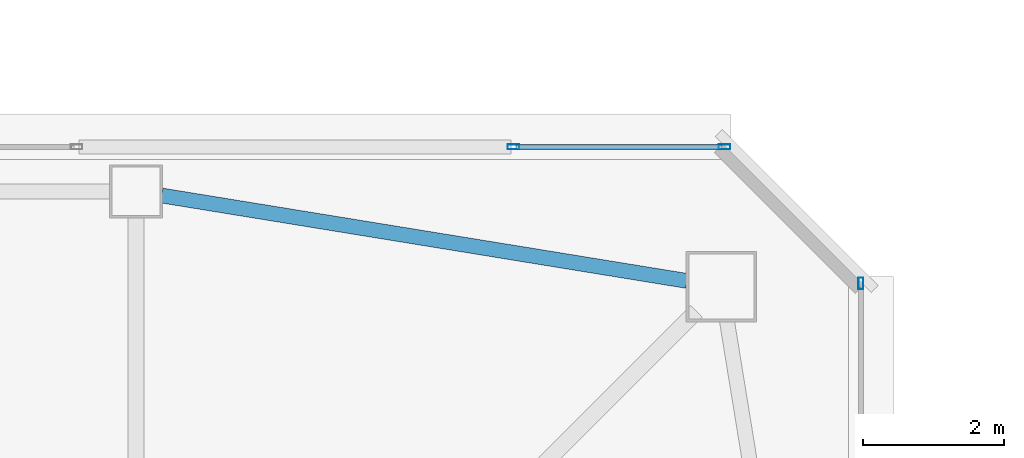
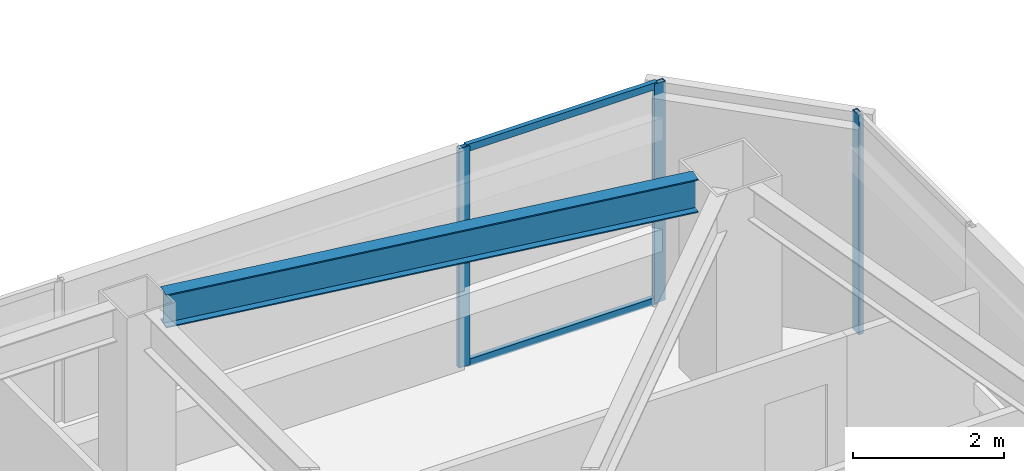
# One storey, part 14 of 36: 5 members, 1 beam, 2 elements without a shape of their own.
"""IFC4 building model written with IfcOpenShell, lengths in metres."""

from ifc_helpers import new_model, si_unit, direction, frame, origin, origin_2d, place, context, subcontext, project, spatial, hollow_rectangle, i_section, extrude, material, material_profile, profile_set, type_object, element, aggregate, save


model = new_model("IFC4")

# Units and contexts
model_context = context("Model", 3, precision=1e-05, world=origin(), true_north=direction((0.0, 1.0)))
body_context = subcontext(model_context, "Body", "Model", "MODEL_VIEW")
ifc_project = project(units=[si_unit("LENGTHUNIT", "METRE"), si_unit("AREAUNIT", "SQUARE_METRE"), si_unit("VOLUMEUNIT", "CUBIC_METRE"), si_unit("PLANEANGLEUNIT", "RADIAN"), si_unit("MASSUNIT", "GRAM", prefix="KILO")], contexts=[model_context])

# Site, building, storey
site_placement = place(None, origin())
site = spatial("IfcSite", under=ifc_project, at=site_placement, CompositionType="ELEMENT")
building_placement = place(site_placement, origin())
building = spatial("IfcBuilding", under=site, at=building_placement, Name="Tashvorn Skyway Center", CompositionType="ELEMENT")
storey_placement = place(building_placement, frame((0.0, 0.0, 236.14990234375)))
storey = spatial("IfcBuildingStorey", under=building, at=storey_placement, Name="L64", CompositionType="ELEMENT", Elevation=236.14990234375)

# Beam
ifc_material_1 = material(Name="Steel ASTM A992 Grade 50", Category="steel")
ifc_material_profile_1 = material_profile(ifc_material_1, i_section(OverallWidth=0.2109375, OverallDepth=0.5390625, WebThickness=0.01171875, FlangeThickness=0.018798828125, at=origin_2d()), Name="W21X73")
ifc_profile_set_1 = profile_set([ifc_material_profile_1], Name="Steel ASTM A992 Grade 50")
beam_type = type_object("IfcBeamType", Name="BM-SPANDREL-W21X73", PredefinedType="SPANDREL", material=ifc_profile_set_1)
beam_placement = place(storey_placement, frame((55.21142578125, 45.779541015625, 3.1005859375), z_axis=(-0.987033514444, 0.160514302677, 0.0), x_axis=(-0.160514302677, -0.987033514444, 0.0)))
element("IfcBeam", 1, at=beam_placement, inside=storey, type_object=beam_type, Name="Tower 1 L64 Spandrel Beam 07", PredefinedType="SPANDREL", context=body_context, shape_type="SweptSolid", body=[
    extrude(i_section(OverallWidth=0.2109375, OverallDepth=0.5390625, WebThickness=0.01171875, FlangeThickness=0.018798828125, at=origin_2d()), origin(), (0.0, 0.0, 1.0), 7.544189453125),
])

# Curtain wall, members
ifc_material_2 = material(Name="Thermally broken bronze-anodized aluminium 6063-T6", Category="aluminium")
curtain_wall_type = type_object("IfcCurtainWallType", Name="CW-CW-Z5", PredefinedType="NOTDEFINED", material=ifc_material_2)
curtain_wall_1_placement = place(storey_placement, origin())
curtain_wall_1 = element("IfcCurtainWall", 2, at=curtain_wall_1_placement, inside=storey, type_object=curtain_wall_type, Name="Tower 1 L64 North Unitised Curtain Wall Glazing Group 3", PredefinedType="NOTDEFINED")
ifc_material_profile_2 = material_profile(ifc_material_2, hollow_rectangle(XDim=0.070068359375, YDim=0.1650390625, WallThickness=0.00390625, at=origin_2d()), Name="ALU-MULL-70x165")
ifc_profile_set_2 = profile_set([ifc_material_profile_2], Name="Thermally broken bronze-anodized aluminium 6063-T6")
member_type_1 = type_object("IfcMemberType", Name="CWM-CW-Z5", PredefinedType="MULLION", material=ifc_profile_set_2)
member_1_placement = place(storey_placement, frame((52.752685546875, 47.679931640625, 0.0), z_axis=(0.0, 0.0, 1.0), x_axis=(0.0, 1.0, 0.0)))
member_1 = element("IfcMember", 3, at=member_1_placement, type_object=member_type_1, Name="CW-Z5 mullion 1", PredefinedType="MULLION", context=body_context, shape_type="SweptSolid", body=[
    extrude(hollow_rectangle(XDim=0.070068359375, YDim=0.1650390625, WallThickness=0.00390625, at=origin_2d()), origin(), (0.0, 0.0, 1.0), 3.550048828125),
])
member_2_placement = place(storey_placement, frame((55.7451171875, 47.679931640625, 0.0), z_axis=(0.0, 0.0, 1.0), x_axis=(0.0, 1.0, 0.0)))
member_2 = element("IfcMember", 4, at=member_2_placement, type_object=member_type_1, Name="CW-Z5 mullion 2", PredefinedType="MULLION", context=body_context, shape_type="SweptSolid", body=[
    extrude(hollow_rectangle(XDim=0.070068359375, YDim=0.1650390625, WallThickness=0.00390625, at=origin_2d()), origin(), (0.0, 0.0, 1.0), 3.550048828125),
])

# Curtain wall, member
curtain_wall_2_placement = place(storey_placement, origin())
curtain_wall_2 = element("IfcCurtainWall", 5, at=curtain_wall_2_placement, inside=storey, type_object=curtain_wall_type, Name="Tower 1 L64 East Unitised Curtain Wall Glazing Group 1", PredefinedType="NOTDEFINED")
member_3_placement = place(storey_placement, frame((57.679931640625, 45.7451171875, 0.0), z_axis=(0.0, 0.0, 1.0), x_axis=(1.0, 0.0, 0.0)))
member_3 = element("IfcMember", 6, at=member_3_placement, type_object=member_type_1, Name="CW-Z5 mullion 1", PredefinedType="MULLION", context=body_context, shape_type="SweptSolid", body=[
    extrude(hollow_rectangle(XDim=0.070068359375, YDim=0.1650390625, WallThickness=0.00390625, at=origin_2d()), origin(), (0.0, 0.0, 1.0), 3.550048828125),
])
aggregate(curtain_wall_2, [member_3])

# Member
ifc_material_profile_3 = material_profile(ifc_material_2, hollow_rectangle(XDim=0.070068359375, YDim=0.114990234375, WallThickness=0.00390625, at=origin_2d()), Name="ALU-TRAN-70x115")
ifc_profile_set_3 = profile_set([ifc_material_profile_3], Name="Thermally broken bronze-anodized aluminium 6063-T6")
member_type_2 = type_object("IfcMemberType", Name="CWT-CW-Z5", PredefinedType="USERDEFINED", material=ifc_profile_set_3)
member_4_placement = place(storey_placement, frame((52.787841796875, 47.679931640625, 0.03515625), z_axis=(1.0, 0.0, 0.0), x_axis=(0.0, 1.0, 0.0)))
member_4 = element("IfcMember", 7, at=member_4_placement, type_object=member_type_2, Name="CW-Z5 transom 1.1", ObjectType="TRANSOM", PredefinedType="USERDEFINED", context=body_context, shape_type="SweptSolid", body=[
    extrude(hollow_rectangle(XDim=0.070068359375, YDim=0.114990234375, WallThickness=0.00390625, at=origin_2d()), origin(), (0.0, 0.0, 1.0), 2.922119140625),
])

member_5_placement = place(storey_placement, frame((52.787841796875, 47.679931640625, 3.51513671875), z_axis=(1.0, 0.0, 0.0), x_axis=(0.0, 1.0, 0.0)))
member_5 = element("IfcMember", 8, at=member_5_placement, type_object=member_type_2, Name="CW-Z5 transom 1.2", ObjectType="TRANSOM", PredefinedType="USERDEFINED", context=body_context, shape_type="SweptSolid", body=[
    extrude(hollow_rectangle(XDim=0.070068359375, YDim=0.114990234375, WallThickness=0.00390625, at=origin_2d()), origin(), (0.0, 0.0, 1.0), 2.922119140625),
])

aggregate(curtain_wall_1, [member_1, member_2, member_4, member_5])

save(model, "model.ifc")
